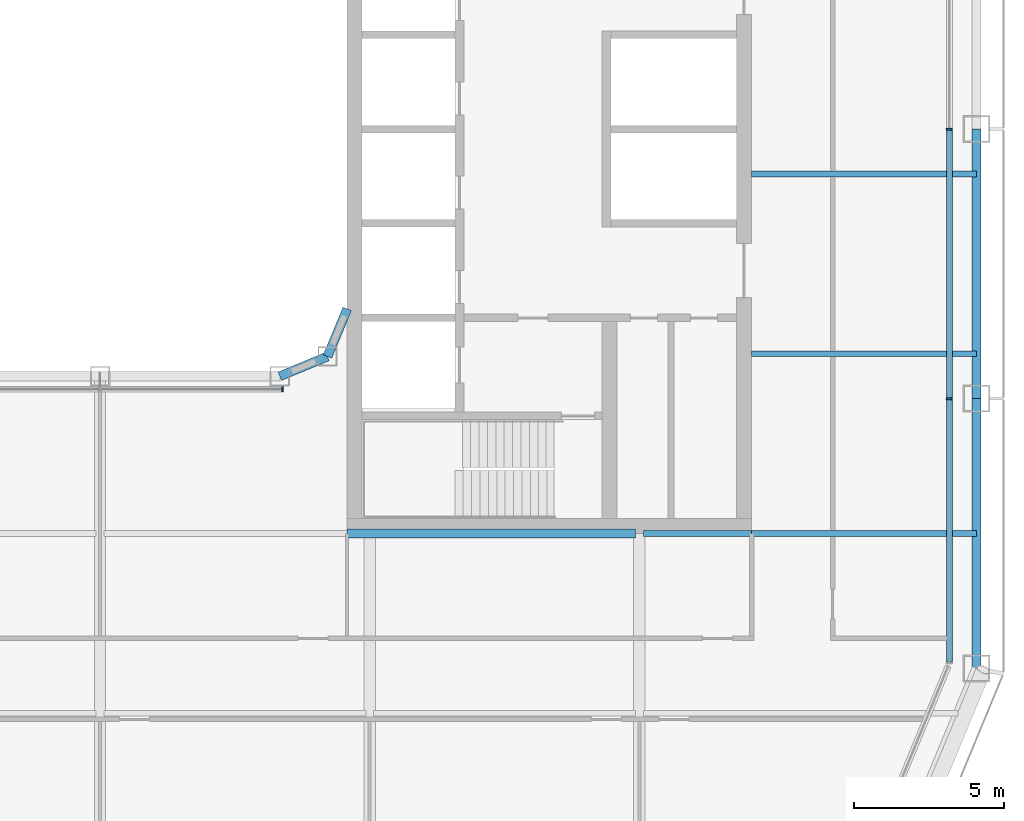
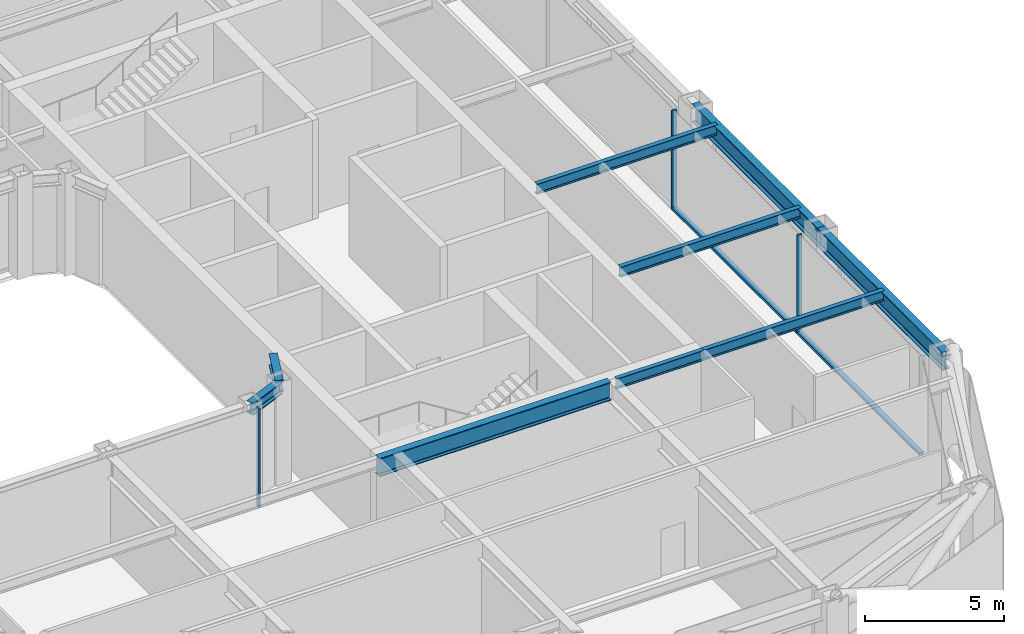
# One storey, part 5 of 23: 9 beams, 5 members, 2 elements without a shape of their own.
"""IFC4 building model written with IfcOpenShell, lengths in metres."""

from ifc_helpers import new_model, si_unit, direction, frame, origin, origin_2d, place, context, subcontext, project, spatial, rectangle, i_section, extrude, material, layer, layer_set, material_profile, profile_set, type_object, element, aggregate, save


model = new_model("IFC4")

# Units and contexts
model_context = context("Model", 3, precision=1e-05, world=origin(), true_north=direction((0.0, 1.0)))
body_context = subcontext(model_context, "Body", "Model", "MODEL_VIEW")
ifc_project = project(units=[si_unit("LENGTHUNIT", "METRE"), si_unit("AREAUNIT", "SQUARE_METRE"), si_unit("VOLUMEUNIT", "CUBIC_METRE"), si_unit("PLANEANGLEUNIT", "RADIAN"), si_unit("MASSUNIT", "GRAM", prefix="KILO")], contexts=[model_context])

# Site, building, storey
site_placement = place(None, origin())
site = spatial("IfcSite", under=ifc_project, at=site_placement, CompositionType="ELEMENT")
building_placement = place(site_placement, origin())
building = spatial("IfcBuilding", under=site, at=building_placement, Name="Siwar Civic Tower", CompositionType="ELEMENT")
storey_placement = place(building_placement, frame((0.0, 0.0, 154.199951171875)))
storey = spatial("IfcBuildingStorey", under=building, at=storey_placement, Name="L33", CompositionType="ELEMENT", Elevation=154.199951171875)

# Curtain wall, members
ifc_material_1 = material(Name="Aluminium and glass", Category="aluminium")
ifc_layer_1 = layer(ifc_material_1, 0.199951171875)
ifc_layer_set_1 = layer_set([ifc_layer_1], Name="Aluminium and glass")
curtain_wall_type_1 = type_object("IfcCurtainWallType", Name="ENV-CW-B", PredefinedType="NOTDEFINED", material=ifc_layer_set_1)
curtain_wall_1_placement = place(storey_placement, origin())
curtain_wall_1 = element("IfcCurtainWall", 1, at=curtain_wall_1_placement, inside=storey, type_object=curtain_wall_type_1, Name="Curtain wall B E", PredefinedType="NOTDEFINED")
ifc_material_2 = material(Name="Aluminium 6063-T6", Category="aluminium")
ifc_material_profile_1 = material_profile(ifc_material_2, rectangle(XDim=0.199951171875, YDim=0.06494140625, at=origin_2d()), Name="AL 200x65")
ifc_profile_set_1 = profile_set([ifc_material_profile_1], Name="Aluminium 6063-T6")
member_type_1 = type_object("IfcMemberType", Name="ENV-MULLION-B", PredefinedType="MULLION", material=ifc_profile_set_1)
member_1_placement = place(storey_placement, frame((28.35009765625, -9.0, 0.0), z_axis=(0.0, 0.0, 1.0), x_axis=(-1.0, 0.0, 0.0)))
member_1 = element("IfcMember", 2, at=member_1_placement, type_object=member_type_1, Name="Mullion B E 2", PredefinedType="MULLION", context=body_context, shape_type="SweptSolid", body=[
    extrude(rectangle(XDim=0.199951171875, YDim=0.06494140625, at=origin_2d()), origin(), (0.0, 0.0, 1.0), 4.35009765625),
])
member_2_placement = place(storey_placement, frame((28.35009765625, 0.0, 0.0), z_axis=(0.0, 0.0, 1.0), x_axis=(-1.0, 0.0, 0.0)))
member_2 = element("IfcMember", 3, at=member_2_placement, type_object=member_type_1, Name="Mullion B E 3", PredefinedType="MULLION", context=body_context, shape_type="SweptSolid", body=[
    extrude(rectangle(XDim=0.199951171875, YDim=0.06494140625, at=origin_2d()), origin(), (0.0, 0.0, 1.0), 4.35009765625),
])

# Curtain wall, member
ifc_material_3 = material(Name="Aluminium and glass", Category="aluminium")
ifc_layer_2 = layer(ifc_material_3, 0.179931640625)
ifc_layer_set_2 = layer_set([ifc_layer_2], Name="Aluminium and glass")
curtain_wall_type_2 = type_object("IfcCurtainWallType", Name="ENV-CW-W", PredefinedType="NOTDEFINED", material=ifc_layer_set_2)
curtain_wall_2_placement = place(storey_placement, origin())
curtain_wall_2 = element("IfcCurtainWall", 4, at=curtain_wall_2_placement, inside=storey, type_object=curtain_wall_type_2, Name="Curtain wall W WS", PredefinedType="NOTDEFINED")
ifc_material_4 = material(Name="Aluminium 6063-T6", Category="aluminium")
ifc_material_profile_2 = material_profile(ifc_material_4, rectangle(XDim=0.179931640625, YDim=0.06005859375, at=origin_2d()), Name="AL 180x60")
ifc_profile_set_2 = profile_set([ifc_material_profile_2], Name="Aluminium 6063-T6")
member_type_2 = type_object("IfcMemberType", Name="ENV-MULLION-W", PredefinedType="MULLION", material=ifc_profile_set_2)
member_3_placement = place(storey_placement, frame((6.08642578125, -8.68505859375, 0.0), z_axis=(0.0, 0.0, 1.0), x_axis=(0.0, 1.0, 0.0)))
member_3 = element("IfcMember", 5, at=member_3_placement, type_object=member_type_2, Name="Mullion W WS 3", PredefinedType="MULLION", context=body_context, shape_type="SweptSolid", body=[
    extrude(rectangle(XDim=0.179931640625, YDim=0.06005859375, at=origin_2d()), origin(), (0.0, 0.0, 1.0), 4.35009765625),
])
aggregate(curtain_wall_2, [member_3])

# Member
ifc_material_5 = material(Name="Aluminium 6063-T6", Category="aluminium")
ifc_material_profile_3 = material_profile(ifc_material_5, rectangle(XDim=0.199951171875, YDim=0.110107421875, at=origin_2d()), Name="AL 200x110")
ifc_profile_set_3 = profile_set([ifc_material_profile_3], Name="Aluminium 6063-T6")
member_type_3 = type_object("IfcMemberType", Name="ENV-TRANSOM-B", PredefinedType="USERDEFINED", material=ifc_profile_set_3)
member_4_placement = place(storey_placement, frame((28.35009765625, -17.78857421875, 0.054931640625), z_axis=(0.0, 1.0, 0.0), x_axis=(-1.0, 0.0, 0.0)))
member_4 = element("IfcMember", 6, at=member_4_placement, type_object=member_type_3, Name="Transom B E 1", ObjectType="TRANSOM", PredefinedType="USERDEFINED", context=body_context, shape_type="SweptSolid", body=[
    extrude(rectangle(XDim=0.199951171875, YDim=0.110107421875, at=origin_2d()), origin(), (0.0, 0.0, 1.0), 8.756103515625),
])

member_5_placement = place(storey_placement, frame((28.35009765625, -8.967529296875, 0.054931640625), z_axis=(0.0, 1.0, 0.0), x_axis=(-1.0, 0.0, 0.0)))
member_5 = element("IfcMember", 7, at=member_5_placement, type_object=member_type_3, Name="Transom B E 2", ObjectType="TRANSOM", PredefinedType="USERDEFINED", context=body_context, shape_type="SweptSolid", body=[
    extrude(rectangle(XDim=0.199951171875, YDim=0.110107421875, at=origin_2d()), origin(), (0.0, 0.0, 1.0), 8.93505859375),
])

aggregate(curtain_wall_1, [member_1, member_2, member_4, member_5])

# Beams
ifc_material_6 = material(Name="Steel S355", Category="steel")
ifc_material_profile_4 = material_profile(ifc_material_6, i_section(OverallWidth=0.18994140625, OverallDepth=0.449951171875, WebThickness=0.009521484375, FlangeThickness=0.0146484375, FilletRadius=0.02099609375, at=origin_2d()), Name="IPE450")
ifc_profile_set_4 = profile_set([ifc_material_profile_4], Name="Steel S355")
beam_type_1 = type_object("IfcBeamType", Name="STR-FB-IPE450", PredefinedType="JOIST", material=ifc_profile_set_4)
beam_1_placement = place(storey_placement, frame((18.1298828125, -13.5, 4.125), z_axis=(1.0, 0.0, 0.0), x_axis=(0.0, 1.0, 0.0)))
element("IfcBeam", 8, at=beam_1_placement, inside=storey, type_object=beam_type_1, Name="L33/bm/F019", PredefinedType="JOIST", context=body_context, shape_type="SweptSolid", body=[
    extrude(i_section(OverallWidth=0.18994140625, OverallDepth=0.449951171875, WebThickness=0.009521484375, FlangeThickness=0.0146484375, FilletRadius=0.02099609375, at=origin_2d()), origin(), (0.0, 0.0, 1.0), 3.6201171875),
])
for number, where, z_axis, x_axis, name in (
    (9, (21.75, -13.5, 4.125), (1.0, 0.0, 0.0), (0.0, 1.0, 0.0), "L33/bm/F020"),
    (10, (21.75, -7.5, 4.125), (1.0, 0.0, 0.0), (0.0, 1.0, 0.0), "L33/bm/F022"),
    (11, (21.75, -1.5, 4.125), (1.0, 0.0, 0.0), (0.0, 1.0, 0.0), "L33/bm/F024"),
):
    element("IfcBeam", number, at=place(storey_placement, frame(where, z_axis=z_axis, x_axis=x_axis)), inside=storey, type_object=beam_type_1, Name=name, PredefinedType="JOIST", context=body_context, shape_type="SweptSolid", body=[
        extrude(i_section(OverallWidth=0.18994140625, OverallDepth=0.449951171875, WebThickness=0.009521484375, FlangeThickness=0.0146484375, FilletRadius=0.02099609375, at=origin_2d()), origin(), (0.0, 0.0, 1.0), 7.5),
    ])
ifc_material_7 = material(Name="Steel S355", Category="steel")
ifc_material_profile_5 = material_profile(ifc_material_7, i_section(OverallWidth=0.300048828125, OverallDepth=0.800048828125, WebThickness=0.017578125, FlangeThickness=0.032958984375, FilletRadius=0.030029296875, at=origin_2d()), Name="HEB800")
ifc_profile_set_5 = profile_set([ifc_material_profile_5], Name="Steel S355")
beam_type_2 = type_object("IfcBeamType", Name="STR-PG-HEB800", PredefinedType="BEAM", material=ifc_profile_set_5)
beam_2_placement = place(storey_placement, frame((8.25, -13.5, 3.949951171875), z_axis=(1.0, 0.0, 0.0), x_axis=(0.0, 1.0, 0.0)))
element("IfcBeam", 12, at=beam_2_placement, inside=storey, type_object=beam_type_2, Name="L33/bm/F018", PredefinedType="BEAM", context=body_context, shape_type="SweptSolid", body=[
    extrude(i_section(OverallWidth=0.300048828125, OverallDepth=0.800048828125, WebThickness=0.017578125, FlangeThickness=0.032958984375, FilletRadius=0.030029296875, at=origin_2d()), origin(), (0.0, 0.0, 1.0), 9.6201171875),
])
ifc_material_8 = material(Name="Steel S355", Category="steel")
ifc_material_profile_6 = material_profile(ifc_material_8, i_section(OverallWidth=0.305908203125, OverallDepth=0.52392578125, WebThickness=0.02099609375, FlangeThickness=0.0400390625, FilletRadius=0.027099609375, at=origin_2d()), Name="HEM500")
ifc_profile_set_6 = profile_set([ifc_material_profile_6], Name="Steel S355")
beam_type_3 = type_object("IfcBeamType", Name="STR-RB-HEM500", PredefinedType="BEAM", material=ifc_profile_set_6)
for number, where, z_axis, x_axis, name in (
    (13, (6.0, -8.25, 4.088134765625), (0.923901072997, 0.382631424892, 0.0), (-0.382631424892, 0.923901072997, 0.0), "L33/bm/RS3"),
    (14, (7.591064453125, -7.591064453125, 4.088134765625), (0.382631424892, 0.923901072997, 0.0), (-0.923901072997, 0.382631424892, 0.0), "L33/bm/RSEE"),
):
    element("IfcBeam", number, at=place(storey_placement, frame(where, z_axis=z_axis, x_axis=x_axis)), inside=storey, type_object=beam_type_3, Name=name, PredefinedType="BEAM", context=body_context, shape_type="SweptSolid", body=[
        extrude(i_section(OverallWidth=0.305908203125, OverallDepth=0.52392578125, WebThickness=0.02099609375, FlangeThickness=0.0400390625, FilletRadius=0.027099609375, at=origin_2d()), origin(), (0.0, 0.0, 1.0), 1.72216796875),
    ])
ifc_material_9 = material(Name="Steel S355", Category="steel")
ifc_material_profile_7 = material_profile(ifc_material_9, i_section(OverallWidth=0.300048828125, OverallDepth=0.800048828125, WebThickness=0.017578125, FlangeThickness=0.032958984375, FilletRadius=0.030029296875, at=origin_2d()), Name="HEB800")
ifc_profile_set_7 = profile_set([ifc_material_profile_7], Name="Steel S355")
beam_type_4 = type_object("IfcBeamType", Name="STR-SB-HEB800", PredefinedType="BEAM", material=ifc_profile_set_7)
for number, where, z_axis, x_axis, name in (
    (15, (29.25, -18.0, 3.949951171875), (0.0, 1.0, 0.0), (-1.0, 0.0, 0.0), "L33/bm/SE-0"),
    (16, (29.25, -9.0, 3.949951171875), (0.0, 1.0, 0.0), (-1.0, 0.0, 0.0), "L33/bm/SE-1"),
):
    element("IfcBeam", number, at=place(storey_placement, frame(where, z_axis=z_axis, x_axis=x_axis)), inside=storey, type_object=beam_type_4, Name=name, PredefinedType="BEAM", context=body_context, shape_type="SweptSolid", body=[
        extrude(i_section(OverallWidth=0.300048828125, OverallDepth=0.800048828125, WebThickness=0.017578125, FlangeThickness=0.032958984375, FilletRadius=0.030029296875, at=origin_2d()), origin(), (0.0, 0.0, 1.0), 9.0),
    ])

save(model, "model.ifc")
